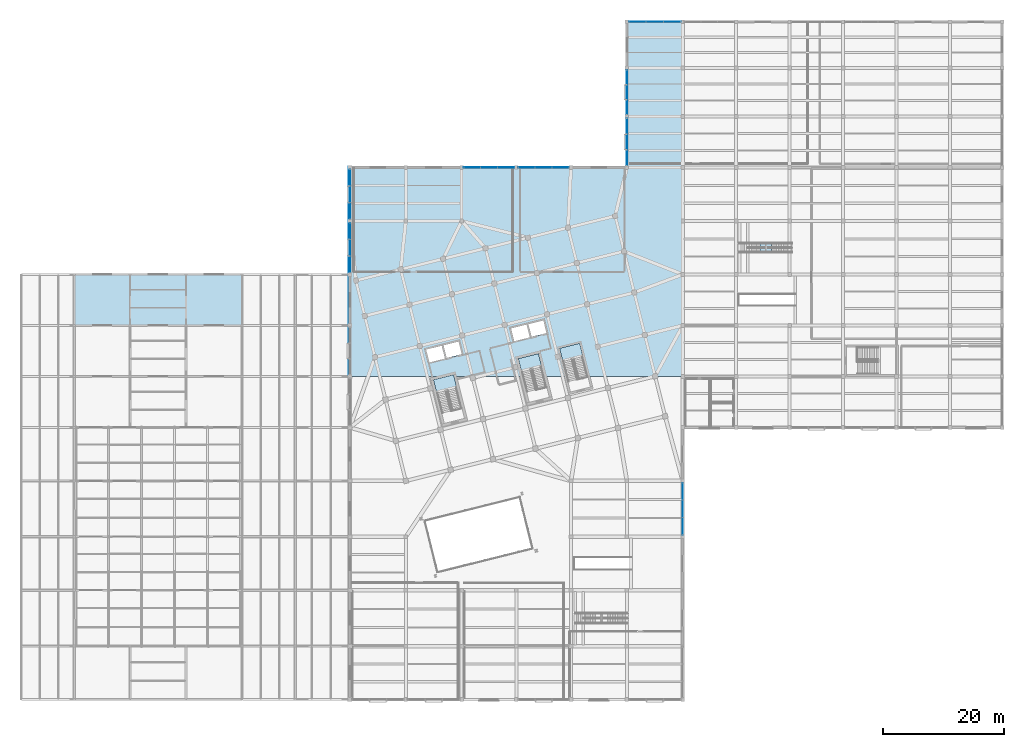
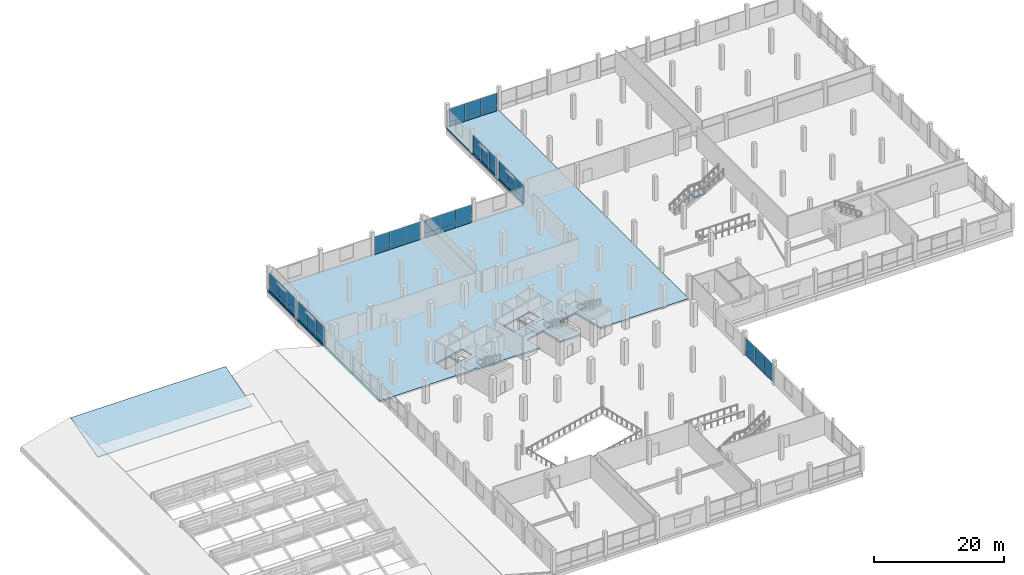
# One storey, part 62 of 77: 48 plates, 7 slabs, 13 elements without a shape of their own.
"""IFC4 building model written with IfcOpenShell, lengths in metres."""

import ifcopenshell
import ifcopenshell.guid

model = None  # the IFC model being written
_history = None  # IfcOwnerHistory: only IFC2X3 demands one
_inside = {}  # id of a spatial element -> (the spatial element, [elements in it])
_under = {}  # id of a project, library or spatial element -> (it, [spatial elements below it])
_declared = {}  # id of a project -> (the project, [libraries it declares])
_typed = {}  # id of a type object -> (the type object, [elements of that type])
_made_of = {}  # id of a material, layer set ... -> (it, [elements and type objects made of it])


def new_model(schema):
    """Start an empty IFC model of exactly this schema.

    Asked for "IFC4X3", IfcOpenShell would pick the latest addendum, in which some entities
    have other attributes; the version numbers below select the first issue.
    IFC2X3 requires an IfcOwnerHistory on every rooted entity: one is made here for all.
    """
    global model, _history
    if schema == "IFC4X3":
        model = ifcopenshell.file(schema_version=(4, 3, 0, 0))
    else:
        model = ifcopenshell.file(schema=schema)
    _inside.clear()
    _under.clear()
    _declared.clear()
    _typed.clear()
    _made_of.clear()
    _history = None
    if model.schema == "IFC2X3":
        org = make("IfcOrganization", Name="unknown")
        user = make(
            "IfcPersonAndOrganization",
            ThePerson=make("IfcPerson", FamilyName="unknown"),
            TheOrganization=org,
        )
        app = make(
            "IfcApplication",
            ApplicationDeveloper=org,
            Version="unknown",
            ApplicationFullName="unknown",
            ApplicationIdentifier="unknown",
        )
        _history = make(
            "IfcOwnerHistory",
            OwningUser=user,
            OwningApplication=app,
            ChangeAction="ADDED",
            CreationDate=0,
        )
    return model


def make(cls, **values):
    """One entity of the class cls with the attributes given. An attribute that is None is left unset."""
    return model.create_entity(
        cls, **{name: value for name, value in values.items() if value is not None}
    )


def rooted(cls, **values):
    """An entity with a GlobalId (a new one), such as an element, a storey or a relation."""
    return make(cls, GlobalId=ifcopenshell.guid.new(), OwnerHistory=_history, **values)


def si_unit(unit_type, name, prefix=None):
    """IfcSIUnit, for example si_unit("LENGTHUNIT", "METRE", prefix="MILLI")."""
    return make("IfcSIUnit", UnitType=unit_type, Prefix=prefix, Name=name)


def assignment(units):
    """IfcUnitAssignment: the units of a project."""
    return None if units is None else make("IfcUnitAssignment", Units=units)


def point(xyz):
    """IfcCartesianPoint."""
    return None if xyz is None else make("IfcCartesianPoint", Coordinates=xyz)


def direction(xyz):
    """IfcDirection."""
    return None if xyz is None else make("IfcDirection", DirectionRatios=xyz)


def frame(location, z_axis=None, x_axis=None):
    """IfcAxis2Placement3D, a coordinate frame: its origin and axes. An axis left out is left unset."""
    return make(
        "IfcAxis2Placement3D",
        Location=point(location),
        Axis=direction(z_axis),
        RefDirection=direction(x_axis),
    )


def frame_2d(location, x_axis=None):
    """IfcAxis2Placement2D, a coordinate frame in the plane: its origin and x axis."""
    return make(
        "IfcAxis2Placement2D", Location=point(location), RefDirection=direction(x_axis)
    )


def origin():
    """The frame at (0, 0, 0) with its axes left unset."""
    return frame((0.0, 0.0, 0.0))


def origin_2d():
    """The frame at (0, 0) in the plane with its x axis left unset."""
    return frame_2d((0.0, 0.0))


def place(relative_to, where):
    """IfcLocalPlacement: puts the frame where relative to a parent placement (None: the world)."""
    return make(
        "IfcLocalPlacement", PlacementRelTo=relative_to, RelativePlacement=where
    )


def context(
    kind, dimensions, precision=None, world=None, true_north=None, identifier=None
):
    """IfcGeometricRepresentationContext, for example the 3D "Model" context."""
    return make(
        "IfcGeometricRepresentationContext",
        ContextIdentifier=identifier,
        ContextType=kind,
        CoordinateSpaceDimension=dimensions,
        Precision=precision,
        WorldCoordinateSystem=world,
        TrueNorth=true_north,
    )


def subcontext(parent, identifier, kind, view, scale=None):
    """IfcGeometricRepresentationSubContext, for example "Body" below "Model"."""
    return make(
        "IfcGeometricRepresentationSubContext",
        ContextIdentifier=identifier,
        ContextType=kind,
        ParentContext=parent,
        TargetScale=scale,
        TargetView=view,
    )


def project(units=None, contexts=None):
    """IfcProject with its units and contexts."""
    return rooted(
        "IfcProject",
        Name="project",
        RepresentationContexts=contexts,
        UnitsInContext=assignment(units),
    )


def spatial(cls, under=None, at=None, **own):
    """A site, building, storey or space (cls), placed at a placement, below another one or the project."""
    s = rooted(cls, ObjectPlacement=at, **own)
    if under is not None:
        _under.setdefault(under.id(), (under, []))[1].append(s)
    return s


def polyline(points):
    """IfcPolyline through the points."""
    return make("IfcPolyline", Points=[point(p) for p in points])


def profile(cls, at=None, kind="AREA", **sizes):
    """A parametric profile (cls). Its sizes go by their IFC names, for example OverallWidth=200.0."""
    return make(cls, ProfileType=kind, Position=at, **sizes)


def rectangle(**sizes):
    """IfcRectangleProfileDef."""
    return profile("IfcRectangleProfileDef", **sizes)


def outline(outer, holes=None, kind="AREA"):
    """IfcArbitraryClosedProfileDef: a profile drawn as a closed curve; with holes, ...WithVoids."""
    if holes is None:
        return make("IfcArbitraryClosedProfileDef", ProfileType=kind, OuterCurve=outer)
    return make(
        "IfcArbitraryProfileDefWithVoids",
        ProfileType=kind,
        OuterCurve=outer,
        InnerCurves=holes,
    )


def extrude(swept, where, along, depth):
    """IfcExtrudedAreaSolid: the profile swept, set in the frame where, extruded along a direction by depth."""
    return make(
        "IfcExtrudedAreaSolid",
        SweptArea=swept,
        Position=where,
        ExtrudedDirection=direction(along),
        Depth=depth,
    )


def shape(context_of_items, identifier, shape_type, items):
    """IfcShapeRepresentation: the items that make up one representation, for example the "Body"."""
    return make(
        "IfcShapeRepresentation",
        ContextOfItems=context_of_items,
        RepresentationIdentifier=identifier,
        RepresentationType=shape_type,
        Items=items,
    )


def material(Name=None, Category=None):
    """IfcMaterial."""
    return make("IfcMaterial", Name=Name, Category=Category)


def layer(
    of_material, thickness, ventilated=None, Name=None, Category=None, Priority=None
):
    """IfcMaterialLayer: one layer of a wall or slab, of a material (None: an air gap)."""
    return make(
        "IfcMaterialLayer",
        Material=of_material,
        LayerThickness=thickness,
        IsVentilated=ventilated,
        Name=Name,
        Category=Category,
        Priority=Priority,
    )


def layer_set(layers, Name=None):
    """IfcMaterialLayerSet."""
    return make("IfcMaterialLayerSet", MaterialLayers=layers, LayerSetName=Name)


def made_of(thing, what):
    """Note that an element or type object is made of a material, layer set ...; save() writes the relation."""
    if what is not None:
        _made_of.setdefault(what.id(), (what, []))[1].append(thing)
    return thing


def type_object(cls, material=None, **own):
    """A type object (cls), such as IfcWallType, which elements share."""
    return made_of(rooted(cls, **own), material)


def element(
    cls,
    number,
    at=None,
    inside=None,
    cuts=None,
    type_object=None,
    material=None,
    context=None,
    identifier="Body",
    shape_type=None,
    held_by="IfcProductDefinitionShape",
    body=None,
    shapes=None,
    **own,
):
    """One element of the class cls, such as IfcWall. Its Tag is "e" and its number.

    at: its placement. inside: the storey or other place that contains it. cuts: it is an
    opening in that element (IfcRelVoidsElement). A single representation is given by context,
    identifier, shape_type and body (its items); several are given by shapes. held_by: the class
    of the entity that holds the representations. save() writes the other relations.
    """
    e = rooted(cls, Tag="e%d" % number, ObjectPlacement=at, **own)
    if body is not None:
        shapes = [shape(context, identifier, shape_type, body)]
    if shapes is not None:
        e.Representation = make(held_by, Representations=shapes)
    if inside is not None:
        _inside.setdefault(inside.id(), (inside, []))[1].append(e)
    if cuts is not None:
        rooted(
            "IfcRelVoidsElement", RelatingBuildingElement=cuts, RelatedOpeningElement=e
        )
    if type_object is not None:
        _typed.setdefault(type_object.id(), (type_object, []))[1].append(e)
    return made_of(e, material)


def aggregate(whole, parts):
    """IfcRelAggregates: a whole, such as a stair, and the parts it consists of."""
    return rooted("IfcRelAggregates", RelatingObject=whole, RelatedObjects=parts)


def save(model, path):
    """Write the relations noted so far, then the file.

    IfcRelAggregates (storeys below a building ...), IfcRelContainedInSpatialStructure (elements
    in a storey), IfcRelDefinesByType, IfcRelAssociatesMaterial and IfcRelDeclares: one each for
    every whole, place, type object, material and project.
    """
    for whole, parts in _under.values():
        aggregate(whole, parts)
    for where, things in _inside.values():
        rooted(
            "IfcRelContainedInSpatialStructure",
            RelatedElements=things,
            RelatingStructure=where,
        )
    for kind, things in _typed.values():
        rooted("IfcRelDefinesByType", RelatedObjects=things, RelatingType=kind)
    for what, things in _made_of.values():
        rooted("IfcRelAssociatesMaterial", RelatedObjects=things, RelatingMaterial=what)
    for by, libraries in _declared.values():
        rooted("IfcRelDeclares", RelatingContext=by, RelatedDefinitions=libraries)
    model.write(path)


model = new_model("IFC4")

# Units and contexts
model_context = context("Model", 3, precision=1e-05, world=origin(), true_north=direction((0.0, 1.0)))
body_context = subcontext(model_context, "Body", "Model", "MODEL_VIEW")
ifc_project = project(units=[si_unit("LENGTHUNIT", "METRE"), si_unit("AREAUNIT", "SQUARE_METRE"), si_unit("VOLUMEUNIT", "CUBIC_METRE"), si_unit("PLANEANGLEUNIT", "RADIAN"), si_unit("MASSUNIT", "GRAM", prefix="KILO")], contexts=[model_context])

# Site, building, storey
site_placement = place(None, origin())
site = spatial("IfcSite", under=ifc_project, at=site_placement, CompositionType="ELEMENT")
building_placement = place(site_placement, origin())
building = spatial("IfcBuilding", under=site, at=building_placement, Name="Meriwether Solvik Hall", CompositionType="ELEMENT")
storey_placement = place(building_placement, frame((0.0, 0.0, 9.89990234375)))
storey = spatial("IfcBuildingStorey", under=building, at=storey_placement, Name="L02", CompositionType="ELEMENT", Elevation=9.89990234375)

# Curtain wall, plates
ifc_material_1 = material(Name="Thermally Broken Anodised Aluminium 6063-T6 and Low-E Glass", Category="aluminium")
ifc_layer_1 = layer(ifc_material_1, 0.179931640625)
ifc_layer_set_1 = layer_set([ifc_layer_1], Name="Thermally Broken Anodised Aluminium 6063-T6 and Low-E Glass")
curtain_wall_type = type_object("IfcCurtainWallType", Name="CW-SF-POD-C", PredefinedType="USERDEFINED", material=ifc_layer_set_1)
curtain_wall_1_placement = place(storey_placement, origin())
curtain_wall_1 = element("IfcCurtainWall", 1, at=curtain_wall_1_placement, inside=storey, type_object=curtain_wall_type, Name="Curtain Wall wing_XK_9_14 (L02)", ObjectType="STICK STOREFRONT GLAZING", PredefinedType="USERDEFINED")
ifc_material_2 = material(Name="Acoustic Laminated Insulating Glass", Category="glass")
ifc_layer_2 = layer(ifc_material_2, 0.035888671875)
ifc_layer_set_2 = layer_set([ifc_layer_2], Name="Acoustic Laminated Insulating Glass")
plate_type_1 = type_object("IfcPlateType", Name="PLT-GLZ-255X215", PredefinedType="CURTAIN_PANEL", material=ifc_layer_set_2)
plate_1_placement = place(storey_placement, frame((79.527099609375, 92.800048828125, 0.880126953125), z_axis=(0.0, 0.0, 1.0), x_axis=(1.0, 0.0, 0.0)))
plate_1 = element("IfcPlate", 2, at=plate_1_placement, type_object=plate_type_1, Name="Low-E Vision Glazing Panel 1", PredefinedType="CURTAIN_PANEL", context=body_context, shape_type="SweptSolid", body=[
    extrude(rectangle(XDim=2.74609375, YDim=0.033935546875, at=origin_2d()), origin(), (0.0, 0.0, 1.0), 2.455078125),
])
plate_2_placement = place(storey_placement, frame((82.300048828125, 92.800048828125, 0.880126953125), z_axis=(0.0, 0.0, 1.0), x_axis=(1.0, 0.0, 0.0)))
plate_2 = element("IfcPlate", 3, at=plate_2_placement, type_object=plate_type_1, Name="Low-E Vision Glazing Panel 2", PredefinedType="CURTAIN_PANEL", context=body_context, shape_type="SweptSolid", body=[
    extrude(rectangle(XDim=2.783935546875, YDim=0.033935546875, at=origin_2d()), origin(), (0.0, 0.0, 1.0), 2.455078125),
])
plate_3_placement = place(storey_placement, frame((85.072998046875, 92.800048828125, 0.880126953125), z_axis=(0.0, 0.0, 1.0), x_axis=(1.0, 0.0, 0.0)))
plate_3 = element("IfcPlate", 4, at=plate_3_placement, type_object=plate_type_1, Name="Low-E Vision Glazing Panel 3", PredefinedType="CURTAIN_PANEL", context=body_context, shape_type="SweptSolid", body=[
    extrude(rectangle(XDim=2.74609375, YDim=0.033935546875, at=origin_2d()), origin(), (0.0, 0.0, 1.0), 2.455078125),
])

curtain_wall_2_placement = place(storey_placement, origin())
curtain_wall_2 = element("IfcCurtainWall", 5, at=curtain_wall_2_placement, inside=storey, type_object=curtain_wall_type, Name="Curtain Wall wing_XK_10_15 (L02)", ObjectType="STICK STOREFRONT GLAZING", PredefinedType="USERDEFINED")
plate_4_placement = place(storey_placement, frame((88.527099609375, 92.800048828125, 0.880126953125), z_axis=(0.0, 0.0, 1.0), x_axis=(1.0, 0.0, 0.0)))
plate_4 = element("IfcPlate", 6, at=plate_4_placement, type_object=plate_type_1, Name="Low-E Vision Glazing Panel 1", PredefinedType="CURTAIN_PANEL", context=body_context, shape_type="SweptSolid", body=[
    extrude(rectangle(XDim=2.74609375, YDim=0.033935546875, at=origin_2d()), origin(), (0.0, 0.0, 1.0), 2.455078125),
])
plate_5_placement = place(storey_placement, frame((91.300048828125, 92.800048828125, 0.880126953125), z_axis=(0.0, 0.0, 1.0), x_axis=(1.0, 0.0, 0.0)))
plate_5 = element("IfcPlate", 7, at=plate_5_placement, type_object=plate_type_1, Name="Low-E Vision Glazing Panel 2", PredefinedType="CURTAIN_PANEL", context=body_context, shape_type="SweptSolid", body=[
    extrude(rectangle(XDim=2.783935546875, YDim=0.033935546875, at=origin_2d()), origin(), (0.0, 0.0, 1.0), 2.455078125),
])
plate_6_placement = place(storey_placement, frame((94.072998046875, 92.800048828125, 0.880126953125), z_axis=(0.0, 0.0, 1.0), x_axis=(1.0, 0.0, 0.0)))
plate_6 = element("IfcPlate", 8, at=plate_6_placement, type_object=plate_type_1, Name="Low-E Vision Glazing Panel 3", PredefinedType="CURTAIN_PANEL", context=body_context, shape_type="SweptSolid", body=[
    extrude(rectangle(XDim=2.74609375, YDim=0.033935546875, at=origin_2d()), origin(), (0.0, 0.0, 1.0), 2.455078125),
])

curtain_wall_3_placement = place(storey_placement, origin())
curtain_wall_3 = element("IfcCurtainWall", 9, at=curtain_wall_3_placement, inside=storey, type_object=curtain_wall_type, Name="Curtain Wall wing_XN_12_17 (L02)", ObjectType="STICK STOREFRONT GLAZING", PredefinedType="USERDEFINED")
plate_7_placement = place(storey_placement, frame((106.76025390625, 116.800048828125, 0.880126953125), z_axis=(0.0, 0.0, 1.0), x_axis=(1.0, 0.0, 0.0)))
plate_7 = element("IfcPlate", 10, at=plate_7_placement, type_object=plate_type_1, Name="Low-E Vision Glazing Panel 1", PredefinedType="CURTAIN_PANEL", context=body_context, shape_type="SweptSolid", body=[
    extrude(rectangle(XDim=2.812744140625, YDim=0.033935546875, at=origin_2d()), origin(), (0.0, 0.0, 1.0), 2.455078125),
])
plate_8_placement = place(storey_placement, frame((109.60009765625, 116.800048828125, 0.880126953125), z_axis=(0.0, 0.0, 1.0), x_axis=(1.0, 0.0, 0.0)))
plate_8 = element("IfcPlate", 11, at=plate_8_placement, type_object=plate_type_1, Name="Low-E Vision Glazing Panel 2", PredefinedType="CURTAIN_PANEL", context=body_context, shape_type="SweptSolid", body=[
    extrude(rectangle(XDim=2.8505859375, YDim=0.033935546875, at=origin_2d()), origin(), (0.0, 0.0, 1.0), 2.455078125),
])
plate_9_placement = place(storey_placement, frame((112.439697265625, 116.800048828125, 0.880126953125), z_axis=(0.0, 0.0, 1.0), x_axis=(1.0, 0.0, 0.0)))
plate_9 = element("IfcPlate", 12, at=plate_9_placement, type_object=plate_type_1, Name="Low-E Vision Glazing Panel 3", PredefinedType="CURTAIN_PANEL", context=body_context, shape_type="SweptSolid", body=[
    extrude(rectangle(XDim=2.812744140625, YDim=0.033935546875, at=origin_2d()), origin(), (0.0, 0.0, 1.0), 2.455078125),
])

curtain_wall_4_placement = place(storey_placement, origin())
curtain_wall_4 = element("IfcCurtainWall", 13, at=curtain_wall_4_placement, inside=storey, type_object=curtain_wall_type, Name="Curtain Wall wing_Y7_9_32 (L02)", ObjectType="STICK STOREFRONT GLAZING", PredefinedType="USERDEFINED")
plate_10_placement = place(storey_placement, frame((59.39990234375, 76.8935546875, 0.880126953125), z_axis=(0.0, 0.0, 1.0), x_axis=(0.0, 1.0, 0.0)))
plate_10 = element("IfcPlate", 14, at=plate_10_placement, type_object=plate_type_1, Name="Low-E Vision Glazing Panel 1", PredefinedType="CURTAIN_PANEL", context=body_context, shape_type="SweptSolid", body=[
    extrude(rectangle(XDim=2.67919921875, YDim=0.033935546875, at=origin_2d()), origin(), (0.0, 0.0, 1.0), 2.455078125),
])
plate_11_placement = place(storey_placement, frame((59.39990234375, 79.60009765625, 0.880126953125), z_axis=(0.0, 0.0, 1.0), x_axis=(0.0, 1.0, 0.0)))
plate_11 = element("IfcPlate", 15, at=plate_11_placement, type_object=plate_type_1, Name="Low-E Vision Glazing Panel 2", PredefinedType="CURTAIN_PANEL", context=body_context, shape_type="SweptSolid", body=[
    extrude(rectangle(XDim=2.71728515625, YDim=0.033935546875, at=origin_2d()), origin(), (0.0, 0.0, 1.0), 2.455078125),
])
plate_12_placement = place(storey_placement, frame((59.39990234375, 82.306396484375, 0.880126953125), z_axis=(0.0, 0.0, 1.0), x_axis=(0.0, 1.0, 0.0)))
plate_12 = element("IfcPlate", 16, at=plate_12_placement, type_object=plate_type_1, Name="Low-E Vision Glazing Panel 3", PredefinedType="CURTAIN_PANEL", context=body_context, shape_type="SweptSolid", body=[
    extrude(rectangle(XDim=2.67919921875, YDim=0.033935546875, at=origin_2d()), origin(), (0.0, 0.0, 1.0), 2.455078125),
])

curtain_wall_5_placement = place(storey_placement, origin())
curtain_wall_5 = element("IfcCurtainWall", 17, at=curtain_wall_5_placement, inside=storey, type_object=curtain_wall_type, Name="Curtain Wall wing_Y7_10_33 (L02)", ObjectType="STICK STOREFRONT GLAZING", PredefinedType="USERDEFINED")
plate_13_placement = place(storey_placement, frame((59.39990234375, 85.693603515625, 0.880126953125), z_axis=(0.0, 0.0, 1.0), x_axis=(0.0, 1.0, 0.0)))
plate_13 = element("IfcPlate", 18, at=plate_13_placement, type_object=plate_type_1, Name="Low-E Vision Glazing Panel 1", PredefinedType="CURTAIN_PANEL", context=body_context, shape_type="SweptSolid", body=[
    extrude(rectangle(XDim=2.67919921875, YDim=0.033935546875, at=origin_2d()), origin(), (0.0, 0.0, 1.0), 2.455078125),
])
plate_14_placement = place(storey_placement, frame((59.39990234375, 88.39990234375, 0.880126953125), z_axis=(0.0, 0.0, 1.0), x_axis=(0.0, 1.0, 0.0)))
plate_14 = element("IfcPlate", 19, at=plate_14_placement, type_object=plate_type_1, Name="Low-E Vision Glazing Panel 2", PredefinedType="CURTAIN_PANEL", context=body_context, shape_type="SweptSolid", body=[
    extrude(rectangle(XDim=2.71728515625, YDim=0.033935546875, at=origin_2d()), origin(), (0.0, 0.0, 1.0), 2.455078125),
])
plate_15_placement = place(storey_placement, frame((59.39990234375, 91.1064453125, 0.880126953125), z_axis=(0.0, 0.0, 1.0), x_axis=(0.0, 1.0, 0.0)))
plate_15 = element("IfcPlate", 20, at=plate_15_placement, type_object=plate_type_1, Name="Low-E Vision Glazing Panel 3", PredefinedType="CURTAIN_PANEL", context=body_context, shape_type="SweptSolid", body=[
    extrude(rectangle(XDim=2.67919921875, YDim=0.033935546875, at=origin_2d()), origin(), (0.0, 0.0, 1.0), 2.455078125),
])

curtain_wall_6_placement = place(storey_placement, origin())
curtain_wall_6 = element("IfcCurtainWall", 21, at=curtain_wall_6_placement, inside=storey, type_object=curtain_wall_type, Name="Curtain Wall wing_Y12_11_34 (L02)", ObjectType="STICK STOREFRONT GLAZING", PredefinedType="USERDEFINED")
plate_16_placement = place(storey_placement, frame((105.0, 94.427001953125, 0.880126953125), z_axis=(0.0, 0.0, 1.0), x_axis=(0.0, 1.0, 0.0)))
plate_16 = element("IfcPlate", 22, at=plate_16_placement, type_object=plate_type_1, Name="Low-E Vision Glazing Panel 1", PredefinedType="CURTAIN_PANEL", context=body_context, shape_type="SweptSolid", body=[
    extrude(rectangle(XDim=2.5458984375, YDim=0.033935546875, at=origin_2d()), origin(), (0.0, 0.0, 1.0), 2.455078125),
])
plate_17_placement = place(storey_placement, frame((105.0, 97.0, 0.880126953125), z_axis=(0.0, 0.0, 1.0), x_axis=(0.0, 1.0, 0.0)))
plate_17 = element("IfcPlate", 23, at=plate_17_placement, type_object=plate_type_1, Name="Low-E Vision Glazing Panel 2", PredefinedType="CURTAIN_PANEL", context=body_context, shape_type="SweptSolid", body=[
    extrude(rectangle(XDim=2.583984375, YDim=0.033935546875, at=origin_2d()), origin(), (0.0, 0.0, 1.0), 2.455078125),
])
plate_18_placement = place(storey_placement, frame((105.0, 99.572998046875, 0.880126953125), z_axis=(0.0, 0.0, 1.0), x_axis=(0.0, 1.0, 0.0)))
plate_18 = element("IfcPlate", 24, at=plate_18_placement, type_object=plate_type_1, Name="Low-E Vision Glazing Panel 3", PredefinedType="CURTAIN_PANEL", context=body_context, shape_type="SweptSolid", body=[
    extrude(rectangle(XDim=2.5458984375, YDim=0.033935546875, at=origin_2d()), origin(), (0.0, 0.0, 1.0), 2.455078125),
])

curtain_wall_7_placement = place(storey_placement, origin())
curtain_wall_7 = element("IfcCurtainWall", 25, at=curtain_wall_7_placement, inside=storey, type_object=curtain_wall_type, Name="Curtain Wall wing_Y12_12_35 (L02)", ObjectType="STICK STOREFRONT GLAZING", PredefinedType="USERDEFINED")
plate_19_placement = place(storey_placement, frame((105.0, 102.76025390625, 0.880126953125), z_axis=(0.0, 0.0, 1.0), x_axis=(0.0, 1.0, 0.0)))
plate_19 = element("IfcPlate", 26, at=plate_19_placement, type_object=plate_type_1, Name="Low-E Vision Glazing Panel 1", PredefinedType="CURTAIN_PANEL", context=body_context, shape_type="SweptSolid", body=[
    extrude(rectangle(XDim=2.41259765625, YDim=0.033935546875, at=origin_2d()), origin(), (0.0, 0.0, 1.0), 2.455078125),
])
plate_20_placement = place(storey_placement, frame((105.0, 105.199951171875, 0.880126953125), z_axis=(0.0, 0.0, 1.0), x_axis=(0.0, 1.0, 0.0)))
plate_20 = element("IfcPlate", 27, at=plate_20_placement, type_object=plate_type_1, Name="Low-E Vision Glazing Panel 2", PredefinedType="CURTAIN_PANEL", context=body_context, shape_type="SweptSolid", body=[
    extrude(rectangle(XDim=2.45068359375, YDim=0.033935546875, at=origin_2d()), origin(), (0.0, 0.0, 1.0), 2.455078125),
])
plate_21_placement = place(storey_placement, frame((105.0, 107.6396484375, 0.880126953125), z_axis=(0.0, 0.0, 1.0), x_axis=(0.0, 1.0, 0.0)))
plate_21 = element("IfcPlate", 28, at=plate_21_placement, type_object=plate_type_1, Name="Low-E Vision Glazing Panel 3", PredefinedType="CURTAIN_PANEL", context=body_context, shape_type="SweptSolid", body=[
    extrude(rectangle(XDim=2.41259765625, YDim=0.033935546875, at=origin_2d()), origin(), (0.0, 0.0, 1.0), 2.455078125),
])

curtain_wall_8_placement = place(storey_placement, origin())
curtain_wall_8 = element("IfcCurtainWall", 29, at=curtain_wall_8_placement, inside=storey, type_object=curtain_wall_type, Name="Curtain Wall wing_Y13_4_40 (L02)", ObjectType="STICK STOREFRONT GLAZING", PredefinedType="USERDEFINED")
plate_22_placement = place(storey_placement, frame((114.199951171875, 39.439697265625, 0.880126953125), z_axis=(0.0, 0.0, 1.0), x_axis=(0.0, -1.0, 0.0)))
plate_22 = element("IfcPlate", 30, at=plate_22_placement, type_object=plate_type_1, Name="Low-E Vision Glazing Panel 1", PredefinedType="CURTAIN_PANEL", context=body_context, shape_type="SweptSolid", body=[
    extrude(rectangle(XDim=2.812744140625, YDim=0.033935546875, at=origin_2d()), origin(), (0.0, 0.0, 1.0), 2.455078125),
])
plate_23_placement = place(storey_placement, frame((114.199951171875, 36.60009765625, 0.880126953125), z_axis=(0.0, 0.0, 1.0), x_axis=(0.0, -1.0, 0.0)))
plate_23 = element("IfcPlate", 31, at=plate_23_placement, type_object=plate_type_1, Name="Low-E Vision Glazing Panel 2", PredefinedType="CURTAIN_PANEL", context=body_context, shape_type="SweptSolid", body=[
    extrude(rectangle(XDim=2.8505859375, YDim=0.033935546875, at=origin_2d()), origin(), (0.0, 0.0, 1.0), 2.455078125),
])
plate_24_placement = place(storey_placement, frame((114.199951171875, 33.76025390625, 0.880126953125), z_axis=(0.0, 0.0, 1.0), x_axis=(0.0, -1.0, 0.0)))
plate_24 = element("IfcPlate", 32, at=plate_24_placement, type_object=plate_type_1, Name="Low-E Vision Glazing Panel 3", PredefinedType="CURTAIN_PANEL", context=body_context, shape_type="SweptSolid", body=[
    extrude(rectangle(XDim=2.812744140625, YDim=0.033935546875, at=origin_2d()), origin(), (0.0, 0.0, 1.0), 2.455078125),
])

# Plate
ifc_material_3 = material(Name="Mineral-Wool Insulated Anodised Aluminium 6063-T6", Category="aluminium")
ifc_layer_3 = layer(ifc_material_3, 0.044921875)
ifc_layer_set_3 = layer_set([ifc_layer_3], Name="Mineral-Wool Insulated Anodised Aluminium 6063-T6")
plate_type_2 = type_object("IfcPlateType", Name="PLT-SPN-255X095", PredefinedType="CURTAIN_PANEL", material=ifc_layer_set_3)
plate_25_placement = place(storey_placement, frame((79.527099609375, 92.800048828125, 0.000244140625), z_axis=(0.0, 0.0, 1.0), x_axis=(1.0, 0.0, 0.0)))
plate_25 = element("IfcPlate", 33, at=plate_25_placement, type_object=plate_type_2, Name="Insulated Spandrel Panel 1", PredefinedType="CURTAIN_PANEL", context=body_context, shape_type="SweptSolid", body=[
    extrude(rectangle(XDim=2.74609375, YDim=0.044921875, at=origin_2d()), origin(), (0.0, 0.0, 1.0), 0.8798828125),
])

plate_26_placement = place(storey_placement, frame((82.300048828125, 92.800048828125, 0.000244140625), z_axis=(0.0, 0.0, 1.0), x_axis=(1.0, 0.0, 0.0)))
plate_26 = element("IfcPlate", 34, at=plate_26_placement, type_object=plate_type_2, Name="Insulated Spandrel Panel 2", PredefinedType="CURTAIN_PANEL", context=body_context, shape_type="SweptSolid", body=[
    extrude(rectangle(XDim=2.783935546875, YDim=0.044921875, at=origin_2d()), origin(), (0.0, 0.0, 1.0), 0.8798828125),
])

plate_27_placement = place(storey_placement, frame((85.072998046875, 92.800048828125, 0.000244140625), z_axis=(0.0, 0.0, 1.0), x_axis=(1.0, 0.0, 0.0)))
plate_27 = element("IfcPlate", 35, at=plate_27_placement, type_object=plate_type_2, Name="Insulated Spandrel Panel 3", PredefinedType="CURTAIN_PANEL", context=body_context, shape_type="SweptSolid", body=[
    extrude(rectangle(XDim=2.74609375, YDim=0.044921875, at=origin_2d()), origin(), (0.0, 0.0, 1.0), 0.8798828125),
])

aggregate(curtain_wall_1, [plate_25, plate_1, plate_26, plate_2, plate_27, plate_3])

plate_28_placement = place(storey_placement, frame((88.527099609375, 92.800048828125, 0.000244140625), z_axis=(0.0, 0.0, 1.0), x_axis=(1.0, 0.0, 0.0)))
plate_28 = element("IfcPlate", 36, at=plate_28_placement, type_object=plate_type_2, Name="Insulated Spandrel Panel 1", PredefinedType="CURTAIN_PANEL", context=body_context, shape_type="SweptSolid", body=[
    extrude(rectangle(XDim=2.74609375, YDim=0.044921875, at=origin_2d()), origin(), (0.0, 0.0, 1.0), 0.8798828125),
])

plate_29_placement = place(storey_placement, frame((91.300048828125, 92.800048828125, 0.000244140625), z_axis=(0.0, 0.0, 1.0), x_axis=(1.0, 0.0, 0.0)))
plate_29 = element("IfcPlate", 37, at=plate_29_placement, type_object=plate_type_2, Name="Insulated Spandrel Panel 2", PredefinedType="CURTAIN_PANEL", context=body_context, shape_type="SweptSolid", body=[
    extrude(rectangle(XDim=2.783935546875, YDim=0.044921875, at=origin_2d()), origin(), (0.0, 0.0, 1.0), 0.8798828125),
])

plate_30_placement = place(storey_placement, frame((94.072998046875, 92.800048828125, 0.000244140625), z_axis=(0.0, 0.0, 1.0), x_axis=(1.0, 0.0, 0.0)))
plate_30 = element("IfcPlate", 38, at=plate_30_placement, type_object=plate_type_2, Name="Insulated Spandrel Panel 3", PredefinedType="CURTAIN_PANEL", context=body_context, shape_type="SweptSolid", body=[
    extrude(rectangle(XDim=2.74609375, YDim=0.044921875, at=origin_2d()), origin(), (0.0, 0.0, 1.0), 0.8798828125),
])

aggregate(curtain_wall_2, [plate_28, plate_4, plate_29, plate_5, plate_30, plate_6])

plate_31_placement = place(storey_placement, frame((106.76025390625, 116.800048828125, 0.000244140625), z_axis=(0.0, 0.0, 1.0), x_axis=(1.0, 0.0, 0.0)))
plate_31 = element("IfcPlate", 39, at=plate_31_placement, type_object=plate_type_2, Name="Insulated Spandrel Panel 1", PredefinedType="CURTAIN_PANEL", context=body_context, shape_type="SweptSolid", body=[
    extrude(rectangle(XDim=2.812744140625, YDim=0.044921875, at=origin_2d()), origin(), (0.0, 0.0, 1.0), 0.8798828125),
])

plate_32_placement = place(storey_placement, frame((109.60009765625, 116.800048828125, 0.000244140625), z_axis=(0.0, 0.0, 1.0), x_axis=(1.0, 0.0, 0.0)))
plate_32 = element("IfcPlate", 40, at=plate_32_placement, type_object=plate_type_2, Name="Insulated Spandrel Panel 2", PredefinedType="CURTAIN_PANEL", context=body_context, shape_type="SweptSolid", body=[
    extrude(rectangle(XDim=2.8505859375, YDim=0.044921875, at=origin_2d()), origin(), (0.0, 0.0, 1.0), 0.8798828125),
])

plate_33_placement = place(storey_placement, frame((112.439697265625, 116.800048828125, 0.000244140625), z_axis=(0.0, 0.0, 1.0), x_axis=(1.0, 0.0, 0.0)))
plate_33 = element("IfcPlate", 41, at=plate_33_placement, type_object=plate_type_2, Name="Insulated Spandrel Panel 3", PredefinedType="CURTAIN_PANEL", context=body_context, shape_type="SweptSolid", body=[
    extrude(rectangle(XDim=2.812744140625, YDim=0.044921875, at=origin_2d()), origin(), (0.0, 0.0, 1.0), 0.8798828125),
])

aggregate(curtain_wall_3, [plate_31, plate_7, plate_32, plate_8, plate_33, plate_9])

plate_34_placement = place(storey_placement, frame((59.39990234375, 76.8935546875, 0.000244140625), z_axis=(0.0, 0.0, 1.0), x_axis=(0.0, 1.0, 0.0)))
plate_34 = element("IfcPlate", 42, at=plate_34_placement, type_object=plate_type_2, Name="Insulated Spandrel Panel 1", PredefinedType="CURTAIN_PANEL", context=body_context, shape_type="SweptSolid", body=[
    extrude(rectangle(XDim=2.67919921875, YDim=0.044921875, at=origin_2d()), origin(), (0.0, 0.0, 1.0), 0.8798828125),
])

plate_35_placement = place(storey_placement, frame((59.39990234375, 79.60009765625, 0.000244140625), z_axis=(0.0, 0.0, 1.0), x_axis=(0.0, 1.0, 0.0)))
plate_35 = element("IfcPlate", 43, at=plate_35_placement, type_object=plate_type_2, Name="Insulated Spandrel Panel 2", PredefinedType="CURTAIN_PANEL", context=body_context, shape_type="SweptSolid", body=[
    extrude(rectangle(XDim=2.71728515625, YDim=0.044921875, at=origin_2d()), origin(), (0.0, 0.0, 1.0), 0.8798828125),
])

plate_36_placement = place(storey_placement, frame((59.39990234375, 82.306396484375, 0.000244140625), z_axis=(0.0, 0.0, 1.0), x_axis=(0.0, 1.0, 0.0)))
plate_36 = element("IfcPlate", 44, at=plate_36_placement, type_object=plate_type_2, Name="Insulated Spandrel Panel 3", PredefinedType="CURTAIN_PANEL", context=body_context, shape_type="SweptSolid", body=[
    extrude(rectangle(XDim=2.67919921875, YDim=0.044921875, at=origin_2d()), origin(), (0.0, 0.0, 1.0), 0.8798828125),
])

aggregate(curtain_wall_4, [plate_34, plate_10, plate_35, plate_11, plate_36, plate_12])

plate_37_placement = place(storey_placement, frame((59.39990234375, 85.693603515625, 0.000244140625), z_axis=(0.0, 0.0, 1.0), x_axis=(0.0, 1.0, 0.0)))
plate_37 = element("IfcPlate", 45, at=plate_37_placement, type_object=plate_type_2, Name="Insulated Spandrel Panel 1", PredefinedType="CURTAIN_PANEL", context=body_context, shape_type="SweptSolid", body=[
    extrude(rectangle(XDim=2.67919921875, YDim=0.044921875, at=origin_2d()), origin(), (0.0, 0.0, 1.0), 0.8798828125),
])

plate_38_placement = place(storey_placement, frame((59.39990234375, 88.39990234375, 0.000244140625), z_axis=(0.0, 0.0, 1.0), x_axis=(0.0, 1.0, 0.0)))
plate_38 = element("IfcPlate", 46, at=plate_38_placement, type_object=plate_type_2, Name="Insulated Spandrel Panel 2", PredefinedType="CURTAIN_PANEL", context=body_context, shape_type="SweptSolid", body=[
    extrude(rectangle(XDim=2.71728515625, YDim=0.044921875, at=origin_2d()), origin(), (0.0, 0.0, 1.0), 0.8798828125),
])

plate_39_placement = place(storey_placement, frame((59.39990234375, 91.1064453125, 0.000244140625), z_axis=(0.0, 0.0, 1.0), x_axis=(0.0, 1.0, 0.0)))
plate_39 = element("IfcPlate", 47, at=plate_39_placement, type_object=plate_type_2, Name="Insulated Spandrel Panel 3", PredefinedType="CURTAIN_PANEL", context=body_context, shape_type="SweptSolid", body=[
    extrude(rectangle(XDim=2.67919921875, YDim=0.044921875, at=origin_2d()), origin(), (0.0, 0.0, 1.0), 0.8798828125),
])

aggregate(curtain_wall_5, [plate_37, plate_13, plate_38, plate_14, plate_39, plate_15])

plate_40_placement = place(storey_placement, frame((105.0, 94.427001953125, 0.000244140625), z_axis=(0.0, 0.0, 1.0), x_axis=(0.0, 1.0, 0.0)))
plate_40 = element("IfcPlate", 48, at=plate_40_placement, type_object=plate_type_2, Name="Insulated Spandrel Panel 1", PredefinedType="CURTAIN_PANEL", context=body_context, shape_type="SweptSolid", body=[
    extrude(rectangle(XDim=2.5458984375, YDim=0.044921875, at=origin_2d()), origin(), (0.0, 0.0, 1.0), 0.8798828125),
])

plate_41_placement = place(storey_placement, frame((105.0, 97.0, 0.000244140625), z_axis=(0.0, 0.0, 1.0), x_axis=(0.0, 1.0, 0.0)))
plate_41 = element("IfcPlate", 49, at=plate_41_placement, type_object=plate_type_2, Name="Insulated Spandrel Panel 2", PredefinedType="CURTAIN_PANEL", context=body_context, shape_type="SweptSolid", body=[
    extrude(rectangle(XDim=2.583984375, YDim=0.044921875, at=origin_2d()), origin(), (0.0, 0.0, 1.0), 0.8798828125),
])

plate_42_placement = place(storey_placement, frame((105.0, 99.572998046875, 0.000244140625), z_axis=(0.0, 0.0, 1.0), x_axis=(0.0, 1.0, 0.0)))
plate_42 = element("IfcPlate", 50, at=plate_42_placement, type_object=plate_type_2, Name="Insulated Spandrel Panel 3", PredefinedType="CURTAIN_PANEL", context=body_context, shape_type="SweptSolid", body=[
    extrude(rectangle(XDim=2.5458984375, YDim=0.044921875, at=origin_2d()), origin(), (0.0, 0.0, 1.0), 0.8798828125),
])

aggregate(curtain_wall_6, [plate_40, plate_16, plate_41, plate_17, plate_42, plate_18])

plate_43_placement = place(storey_placement, frame((105.0, 102.76025390625, 0.000244140625), z_axis=(0.0, 0.0, 1.0), x_axis=(0.0, 1.0, 0.0)))
plate_43 = element("IfcPlate", 51, at=plate_43_placement, type_object=plate_type_2, Name="Insulated Spandrel Panel 1", PredefinedType="CURTAIN_PANEL", context=body_context, shape_type="SweptSolid", body=[
    extrude(rectangle(XDim=2.41259765625, YDim=0.044921875, at=origin_2d()), origin(), (0.0, 0.0, 1.0), 0.8798828125),
])

plate_44_placement = place(storey_placement, frame((105.0, 105.199951171875, 0.000244140625), z_axis=(0.0, 0.0, 1.0), x_axis=(0.0, 1.0, 0.0)))
plate_44 = element("IfcPlate", 52, at=plate_44_placement, type_object=plate_type_2, Name="Insulated Spandrel Panel 2", PredefinedType="CURTAIN_PANEL", context=body_context, shape_type="SweptSolid", body=[
    extrude(rectangle(XDim=2.45068359375, YDim=0.044921875, at=origin_2d()), origin(), (0.0, 0.0, 1.0), 0.8798828125),
])

plate_45_placement = place(storey_placement, frame((105.0, 107.6396484375, 0.000244140625), z_axis=(0.0, 0.0, 1.0), x_axis=(0.0, 1.0, 0.0)))
plate_45 = element("IfcPlate", 53, at=plate_45_placement, type_object=plate_type_2, Name="Insulated Spandrel Panel 3", PredefinedType="CURTAIN_PANEL", context=body_context, shape_type="SweptSolid", body=[
    extrude(rectangle(XDim=2.41259765625, YDim=0.044921875, at=origin_2d()), origin(), (0.0, 0.0, 1.0), 0.8798828125),
])

aggregate(curtain_wall_7, [plate_43, plate_19, plate_44, plate_20, plate_45, plate_21])

plate_46_placement = place(storey_placement, frame((114.199951171875, 39.439697265625, 0.000244140625), z_axis=(0.0, 0.0, 1.0), x_axis=(0.0, -1.0, 0.0)))
plate_46 = element("IfcPlate", 54, at=plate_46_placement, type_object=plate_type_2, Name="Insulated Spandrel Panel 1", PredefinedType="CURTAIN_PANEL", context=body_context, shape_type="SweptSolid", body=[
    extrude(rectangle(XDim=2.812744140625, YDim=0.044921875, at=origin_2d()), origin(), (0.0, 0.0, 1.0), 0.8798828125),
])

plate_47_placement = place(storey_placement, frame((114.199951171875, 36.60009765625, 0.000244140625), z_axis=(0.0, 0.0, 1.0), x_axis=(0.0, -1.0, 0.0)))
plate_47 = element("IfcPlate", 55, at=plate_47_placement, type_object=plate_type_2, Name="Insulated Spandrel Panel 2", PredefinedType="CURTAIN_PANEL", context=body_context, shape_type="SweptSolid", body=[
    extrude(rectangle(XDim=2.8505859375, YDim=0.044921875, at=origin_2d()), origin(), (0.0, 0.0, 1.0), 0.8798828125),
])

plate_48_placement = place(storey_placement, frame((114.199951171875, 33.76025390625, 0.000244140625), z_axis=(0.0, 0.0, 1.0), x_axis=(0.0, -1.0, 0.0)))
plate_48 = element("IfcPlate", 56, at=plate_48_placement, type_object=plate_type_2, Name="Insulated Spandrel Panel 3", PredefinedType="CURTAIN_PANEL", context=body_context, shape_type="SweptSolid", body=[
    extrude(rectangle(XDim=2.812744140625, YDim=0.044921875, at=origin_2d()), origin(), (0.0, 0.0, 1.0), 0.8798828125),
])

aggregate(curtain_wall_8, [plate_46, plate_22, plate_47, plate_23, plate_48, plate_24])

# Stair, slab
ifc_material_4 = material(Name="Glulam Douglas-Fir 24F-V8 GL28h", Category="wood")
stair_type_1 = type_object("IfcStairType", Name="STR-OPEN-LIB", PredefinedType="TWO_STRAIGHT_RUN_STAIR", material=ifc_material_4)
stair_1_placement = place(storey_placement, origin())
stair_1 = element("IfcStair", 57, at=stair_1_placement, inside=storey, type_object=stair_type_1, Name="Architectural Stair ST-LB3 (L02-L03)", PredefinedType="TWO_STRAIGHT_RUN_STAIR")
ifc_material_5 = material(Name="Cross-Laminated Timber PRG 320 E1", Category="wood")
ifc_layer_4 = layer(ifc_material_5, 0.175048828125)
ifc_layer_set_4 = layer_set([ifc_layer_4], Name="Cross-Laminated Timber PRG 320 E1")
slab_type_1 = type_object("IfcSlabType", Name="SLB-LND-175", PredefinedType="LANDING", material=ifc_layer_set_4)
slab_1_placement = place(storey_placement, frame((0.0, 0.0, 2.0751953125)))
slab_1 = element("IfcSlab", 58, at=slab_1_placement, type_object=slab_type_1, Name="Stair ST-LB3 Intermediate Landing", PredefinedType="LANDING", context=body_context, shape_type="SweptSolid", body=[
    extrude(outline(polyline([(126.89208984375, 78.77490234375), (128.827880859375, 78.77490234375), (128.827880859375, 80.425048828125), (126.89208984375, 80.425048828125), (126.89208984375, 78.77490234375)])), origin(), (0.0, 0.0, 1.0), 0.1748046875),
])
aggregate(stair_1, [slab_1])

ifc_material_6 = material(Name="Concrete C40/50", Category="concrete")
stair_type_2 = type_object("IfcStairType", Name="STR-CORE-DOGLEG-B", PredefinedType="TWO_STRAIGHT_RUN_STAIR", material=ifc_material_6)
stair_2_placement = place(storey_placement, origin())
stair_2 = element("IfcStair", 59, at=stair_2_placement, inside=storey, type_object=stair_type_2, Name="Exit Stair ST-01 (L02)", PredefinedType="TWO_STRAIGHT_RUN_STAIR")
ifc_material_7 = material(Name="Concrete C40/50", Category="concrete")
ifc_layer_5 = layer(ifc_material_7, 0.199951171875)
ifc_layer_set_5 = layer_set([ifc_layer_5], Name="Concrete C40/50")
slab_type_2 = type_object("IfcSlabType", Name="SLB-LND-200", PredefinedType="LANDING", material=ifc_layer_set_5)
slab_2_placement = place(storey_placement, frame((0.0, 0.0, 2.050048828125)))
slab_2 = element("IfcSlab", 60, at=slab_2_placement, type_object=slab_type_2, Name="Stair ST-01 Half Landing (L02)", PredefinedType="LANDING", context=body_context, shape_type="SweptSolid", body=[
    extrude(outline(polyline([(73.697021484375, 55.664794921875), (77.005859375, 56.48974609375), (76.460693359375, 58.67578125), (73.152099609375, 57.850830078125), (73.697021484375, 55.664794921875)])), origin(), (0.0, 0.0, 1.0), 0.199951171875),
])
aggregate(stair_2, [slab_2])

stair_3_placement = place(storey_placement, origin())
stair_3 = element("IfcStair", 61, at=stair_3_placement, inside=storey, type_object=stair_type_2, Name="Exit Stair ST-02 (L02)", PredefinedType="TWO_STRAIGHT_RUN_STAIR")
slab_3_placement = place(storey_placement, frame((0.0, 0.0, 2.050048828125)))
slab_3 = element("IfcSlab", 62, at=slab_3_placement, type_object=slab_type_2, Name="Stair ST-02 Half Landing (L02)", PredefinedType="LANDING", context=body_context, shape_type="SweptSolid", body=[
    extrude(outline(polyline([(87.66943359375, 59.1484375), (90.97802734375, 59.973388671875), (90.432861328125, 62.159423828125), (87.124267578125, 61.33447265625), (87.66943359375, 59.1484375)])), origin(), (0.0, 0.0, 1.0), 0.199951171875),
])
aggregate(stair_3, [slab_3])

stair_4_placement = place(storey_placement, origin())
stair_4 = element("IfcStair", 63, at=stair_4_placement, inside=storey, type_object=stair_type_2, Name="Exit Stair ST-03 (L02)", PredefinedType="TWO_STRAIGHT_RUN_STAIR")
slab_4_placement = place(storey_placement, frame((0.0, 0.0, 2.050048828125)))
slab_4 = element("IfcSlab", 64, at=slab_4_placement, type_object=slab_type_2, Name="Stair ST-03 Half Landing (L02)", PredefinedType="LANDING", context=body_context, shape_type="SweptSolid", body=[
    extrude(outline(polyline([(94.46142578125, 60.841796875), (97.77001953125, 61.666748046875), (97.22509765625, 63.85302734375), (93.916259765625, 63.028076171875), (94.46142578125, 60.841796875)])), origin(), (0.0, 0.0, 1.0), 0.199951171875),
])
aggregate(stair_4, [slab_4])

# Slabs
ifc_material_8 = material(Name="Concrete C40/50", Category="concrete")
ifc_layer_6 = layer(ifc_material_8, 0.330078125)
ifc_layer_set_6 = layer_set([ifc_layer_6], Name="Concrete C40/50")
slab_type_3 = type_object("IfcSlabType", Name="SLB-RC-330", PredefinedType="FLOOR", material=ifc_layer_set_6)
slab_5_placement = place(storey_placement, frame((0.0, 0.0, -0.329833984375)))
element("IfcSlab", 65, at=slab_5_placement, inside=storey, type_object=slab_type_3, Name="L02 Structural Slab Zone 2", PredefinedType="FLOOR", context=body_context, shape_type="SweptSolid", body=[
    extrude(outline(polyline([(59.239990234375, 58.403076171875), (59.239990234375, 92.9599609375), (59.39697265625, 92.9599609375), (59.39697265625, 58.403076171875), (59.239990234375, 58.403076171875)])), origin(), (0.0, 0.0, 1.0), 0.329833984375),
])
slab_6_placement = place(storey_placement, frame((0.0, 0.0, -0.329833984375)))
element("IfcSlab", 66, at=slab_6_placement, inside=storey, type_object=slab_type_3, Name="L02 Structural Slab Zone 4", PredefinedType="FLOOR", context=body_context, shape_type="SweptSolid", body=[
    extrude(outline(polyline([(98.57861328125, 58.403076171875), (97.221435546875, 63.846923828125), (93.92236328125, 63.0244140625), (95.07470703125, 58.403076171875), (91.364501953125, 58.403076171875), (90.429443359375, 62.1533203125), (87.13037109375, 61.330810546875), (87.8603515625, 58.403076171875), (76.523681640625, 58.403076171875), (76.45703125, 58.669677734375), (75.38720703125, 58.403076171875), (59.403076171875, 58.403076171875), (59.403076171875, 92.9599609375), (104.840087890625, 92.9599609375), (104.840087890625, 116.9599609375), (114.197021484375, 116.9599609375), (114.197021484375, 58.403076171875), (98.57861328125, 58.403076171875)]), holes=[polyline([(75.064208984375, 61.36279296875), (74.531982421875, 63.497314453125), (71.912109375, 62.84423828125), (72.4443359375, 60.70947265625), (75.064208984375, 61.36279296875)]), polyline([(77.82958984375, 62.05224609375), (77.29736328125, 64.186767578125), (74.774658203125, 63.557861328125), (75.306884765625, 61.42333984375), (77.82958984375, 62.05224609375)]), polyline([(88.504150390625, 66.981201171875), (85.884521484375, 66.327880859375), (86.416748046875, 64.193359375), (89.036376953125, 64.846435546875), (88.504150390625, 66.981201171875)]), polyline([(91.8017578125, 65.535888671875), (91.26953125, 67.670654296875), (88.746826171875, 67.04150390625), (89.279052734375, 64.906982421875), (91.8017578125, 65.535888671875)])]), origin(), (0.0, 0.0, 1.0), 0.329833984375),
])

# Roof, slab
ifc_material_9 = material(Name="Cross-Laminated Timber PRG 320 E1", Category="wood")
ifc_layer_7 = layer(ifc_material_9, 0.2451171875)
ifc_layer_set_7 = layer_set([ifc_layer_7], Name="Cross-Laminated Timber PRG 320 E1")
roof_type = type_object("IfcRoofType", Name="ROOF-SHED-CLT", PredefinedType="SHED_ROOF", material=ifc_layer_set_7)
roof_placement = place(storey_placement, origin())
roof = element("IfcRoof", 67, at=roof_placement, inside=storey, type_object=roof_type, Name="Pitched Mass-Timber Roof w1_north_s3 (L02)", PredefinedType="SHED_ROOF")
ifc_material_10 = material(Name="Cross-Laminated Timber PRG 320 E1", Category="wood")
ifc_layer_8 = layer(ifc_material_10, 0.159912109375)
ifc_layer_set_8 = layer_set([ifc_layer_8], Name="Cross-Laminated Timber PRG 320 E1")
slab_type_4 = type_object("IfcSlabType", Name="SLB-ROOF-160", PredefinedType="ROOF", material=ifc_layer_set_8)
slab_7_placement = place(storey_placement, frame((14.054931640625, 66.85498046875, 0.175048828125), z_axis=(0.0, -0.273811952281, 0.961783247301), x_axis=(1.0, 0.0, 0.0)))
slab_7 = element("IfcSlab", 68, at=slab_7_placement, type_object=slab_type_4, Name="Sloped CLT Roof Deck w1_north_s3 (L02)", PredefinedType="ROOF", context=body_context, shape_type="SweptSolid", body=[
    extrude(outline(polyline([(0.0, 0.0), (27.489990234375, 0.0), (27.489990234375, 8.619446310556459), (0.0, 8.619446310556459), (0.0, 0.0)])), origin(), (0.0, 0.0, -1.0), 0.159912109375),
])
aggregate(roof, [slab_7])

save(model, "model.ifc")
